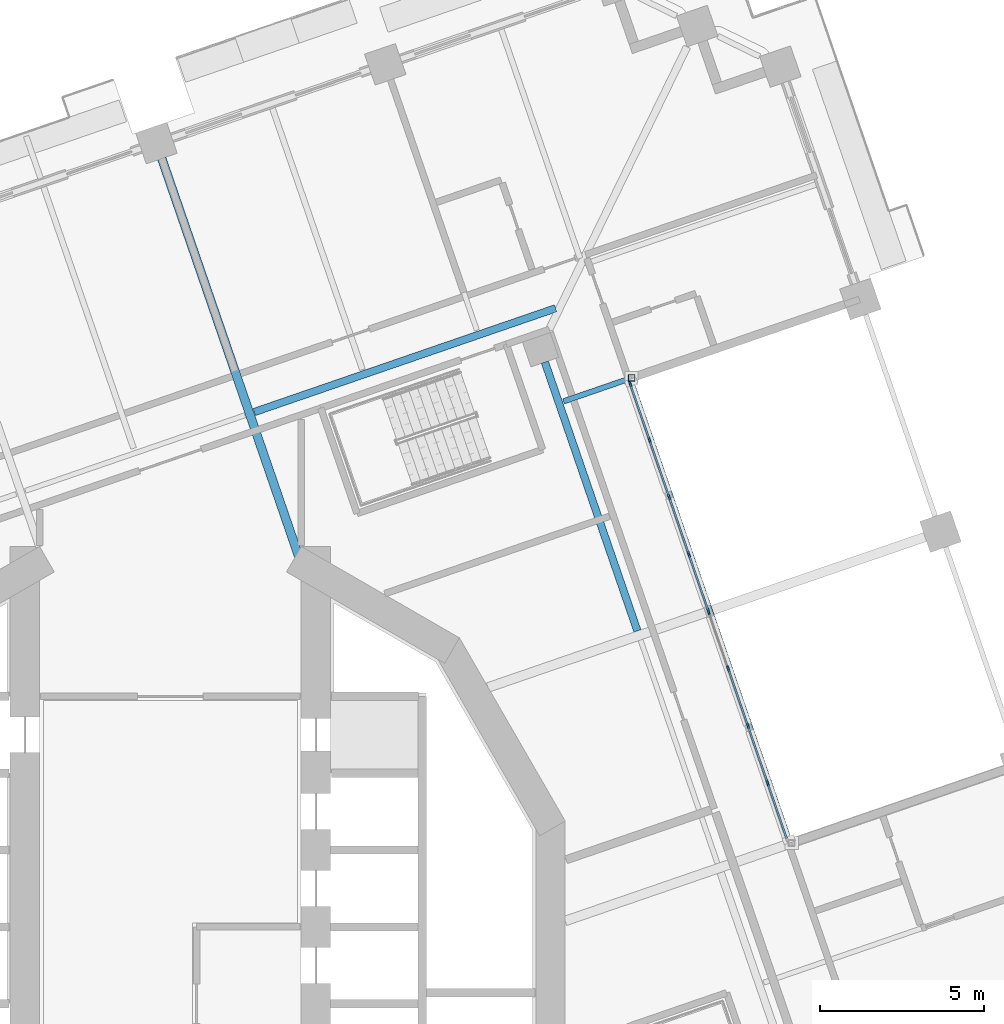
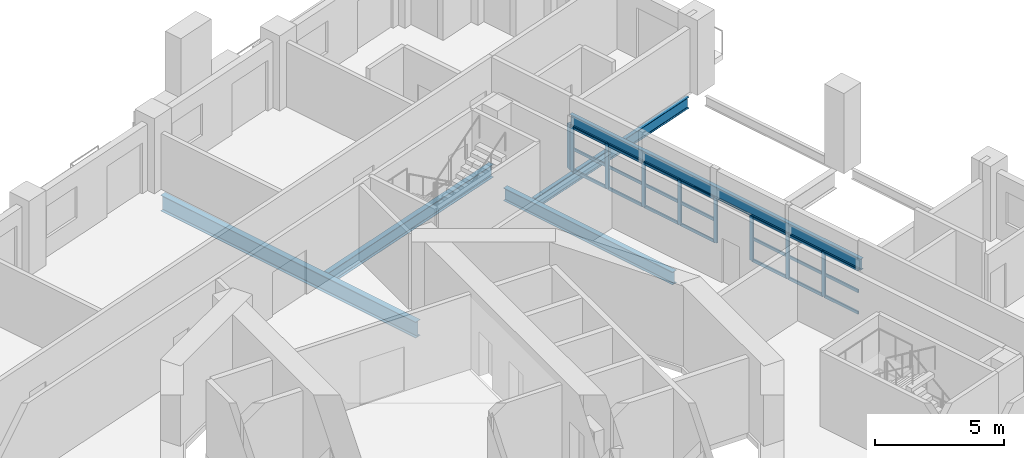
# One storey, part 4 of 19: 30 members, 5 beams, 1 element without a shape of its own.
"""IFC4 building model written with IfcOpenShell, lengths in metres."""

from ifc_helpers import new_model, si_unit, direction, frame, origin, origin_2d, place, context, subcontext, project, spatial, rectangle, hollow_rectangle, i_section, extrude, material, material_profile, profile_set, type_object, element, aggregate, save


model = new_model("IFC4")

# Units and contexts
model_context = context("Model", 3, precision=1e-05, world=origin(), true_north=direction((0.0, 1.0)))
body_context = subcontext(model_context, "Body", "Model", "MODEL_VIEW")
ifc_project = project(units=[si_unit("LENGTHUNIT", "METRE"), si_unit("AREAUNIT", "SQUARE_METRE"), si_unit("VOLUMEUNIT", "CUBIC_METRE"), si_unit("PLANEANGLEUNIT", "RADIAN"), si_unit("MASSUNIT", "GRAM", prefix="KILO")], contexts=[model_context])

# Site, building, storey
site_placement = place(None, origin())
site = spatial("IfcSite", under=ifc_project, at=site_placement, CompositionType="ELEMENT")
building_placement = place(site_placement, origin())
building = spatial("IfcBuilding", under=site, at=building_placement, Name="Cantera Rosa Tower", CompositionType="ELEMENT")
storey_placement = place(building_placement, frame((0.0, 0.0, 130.699951171875)))
storey = spatial("IfcBuildingStorey", under=building, at=storey_placement, Name="L27", CompositionType="ELEMENT", Elevation=130.699951171875)

# Curtain wall, members
ifc_material_1 = material(Name="Aluminium frame with clear glass", Category="aluminium")
curtain_wall_type = type_object("IfcCurtainWallType", Name="CW1 TERRACE POCKET GLAZING", PredefinedType="NOTDEFINED", material=ifc_material_1)
curtain_wall_placement = place(storey_placement, origin())
curtain_wall = element("IfcCurtainWall", 1, at=curtain_wall_placement, inside=storey, type_object=curtain_wall_type, Name="CW1 CW1", PredefinedType="NOTDEFINED")
ifc_material_2 = material(Name="Anodised bronze aluminium", Category="aluminium")
ifc_material_profile_1 = material_profile(ifc_material_2, rectangle(XDim=0.06005859375, YDim=0.179931640625, at=origin_2d()), Name="CW-MULLION 60x180 POCKET")
ifc_profile_set_1 = profile_set([ifc_material_profile_1], Name="Anodised bronze aluminium")
member_type_1 = type_object("IfcMemberType", Name="CW-MULLION 60x180 POCKET", PredefinedType="MULLION", material=ifc_profile_set_1)
member_1_placement = place(storey_placement, frame((18.2626953125, 4.399169921875, 0.0), z_axis=(0.0, 0.0, 1.0), x_axis=(-0.945518575605, -0.325568154441, 0.0)))
member_1 = element("IfcMember", 2, at=member_1_placement, type_object=member_type_1, Name="CW1 mullion 2", PredefinedType="MULLION", context=body_context, shape_type="SweptSolid", body=[
    extrude(rectangle(XDim=0.06005859375, YDim=0.179931640625, at=origin_2d()), origin(), (0.0, 0.0, 1.0), 2.10400390625),
])
member_2_placement = place(storey_placement, frame((17.660888671875, 6.147216796875, 0.0), z_axis=(0.0, 0.0, 1.0), x_axis=(-0.945518575605, -0.325568154441, 0.0)))
member_2 = element("IfcMember", 3, at=member_2_placement, type_object=member_type_1, Name="CW1 mullion 3", PredefinedType="MULLION", context=body_context, shape_type="SweptSolid", body=[
    extrude(rectangle(XDim=0.06005859375, YDim=0.179931640625, at=origin_2d()), origin(), (0.0, 0.0, 1.0), 2.10400390625),
])
member_3_placement = place(storey_placement, frame((17.058837890625, 7.895263671875, 0.0), z_axis=(0.0, 0.0, 1.0), x_axis=(-0.945518575605, -0.325568154441, 0.0)))
member_3 = element("IfcMember", 4, at=member_3_placement, type_object=member_type_1, Name="CW1 mullion 4", PredefinedType="MULLION", context=body_context, shape_type="SweptSolid", body=[
    extrude(rectangle(XDim=0.06005859375, YDim=0.179931640625, at=origin_2d()), origin(), (0.0, 0.0, 1.0), 2.10400390625),
])
member_4_placement = place(storey_placement, frame((16.45703125, 9.643310546875, 0.0), z_axis=(0.0, 0.0, 1.0), x_axis=(-0.945518575605, -0.325568154441, 0.0)))
member_4 = element("IfcMember", 5, at=member_4_placement, type_object=member_type_1, Name="CW1 mullion 5", PredefinedType="MULLION", context=body_context, shape_type="SweptSolid", body=[
    extrude(rectangle(XDim=0.06005859375, YDim=0.179931640625, at=origin_2d()), origin(), (0.0, 0.0, 1.0), 2.10400390625),
])
member_5_placement = place(storey_placement, frame((15.855224609375, 11.391357421875, 0.0), z_axis=(0.0, 0.0, 1.0), x_axis=(-0.945518575605, -0.325568154441, 0.0)))
member_5 = element("IfcMember", 6, at=member_5_placement, type_object=member_type_1, Name="CW1 mullion 6", PredefinedType="MULLION", context=body_context, shape_type="SweptSolid", body=[
    extrude(rectangle(XDim=0.06005859375, YDim=0.179931640625, at=origin_2d()), origin(), (0.0, 0.0, 1.0), 2.10400390625),
])
member_6_placement = place(storey_placement, frame((15.253173828125, 13.139404296875, 0.0), z_axis=(0.0, 0.0, 1.0), x_axis=(-0.945518575605, -0.325568154441, 0.0)))
member_6 = element("IfcMember", 7, at=member_6_placement, type_object=member_type_1, Name="CW1 mullion 7", PredefinedType="MULLION", context=body_context, shape_type="SweptSolid", body=[
    extrude(rectangle(XDim=0.06005859375, YDim=0.179931640625, at=origin_2d()), origin(), (0.0, 0.0, 1.0), 2.10400390625),
])
member_7_placement = place(storey_placement, frame((14.6513671875, 14.887451171875, 0.0), z_axis=(0.0, 0.0, 1.0), x_axis=(-0.945518575605, -0.325568154441, 0.0)))
member_7 = element("IfcMember", 8, at=member_7_placement, type_object=member_type_1, Name="CW1 mullion 8", PredefinedType="MULLION", context=body_context, shape_type="SweptSolid", body=[
    extrude(rectangle(XDim=0.06005859375, YDim=0.179931640625, at=origin_2d()), origin(), (0.0, 0.0, 1.0), 2.10400390625),
])
member_8_placement = place(storey_placement, frame((14.059326171875, 16.60693359375, 0.0), z_axis=(0.0, 0.0, 1.0), x_axis=(-0.945518575605, -0.325568154441, 0.0)))
member_8 = element("IfcMember", 9, at=member_8_placement, type_object=member_type_1, Name="CW1 mullion 9", PredefinedType="MULLION", context=body_context, shape_type="SweptSolid", body=[
    extrude(rectangle(XDim=0.06005859375, YDim=0.179931640625, at=origin_2d()), origin(), (0.0, 0.0, 1.0), 2.10400390625),
])
ifc_material_3 = material(Name="Anodised bronze aluminium", Category="aluminium")
ifc_material_profile_2 = material_profile(ifc_material_3, rectangle(XDim=0.06005859375, YDim=0.139892578125, at=origin_2d()), Name="CW-TRANSOM 60x140 POCKET")
ifc_profile_set_2 = profile_set([ifc_material_profile_2], Name="Anodised bronze aluminium")
member_type_2 = type_object("IfcMemberType", Name="CW-TRANSOM 60x140 POCKET", PredefinedType="USERDEFINED", material=ifc_profile_set_2)
member_9_placement = place(storey_placement, frame((18.84521484375, 2.7080078125, 0.030029296875), z_axis=(-0.325665527523, 0.945485041755, 0.0), x_axis=(-0.945485041755, -0.325665527523, 0.0)))
member_9 = element("IfcMember", 10, at=member_9_placement, type_object=member_type_2, Name="CW1 transom 1.1", ObjectType="TRANSOM", PredefinedType="USERDEFINED", context=body_context, shape_type="SweptSolid", body=[
    extrude(rectangle(XDim=0.06005859375, YDim=0.139892578125, at=origin_2d()), origin(), (0.0, 0.0, 1.0), 1.7587890625),
])
member_10_placement = place(storey_placement, frame((18.84521484375, 2.7080078125, 1.052001953125), z_axis=(-0.325665527523, 0.945485041755, 0.0), x_axis=(-0.945485041755, -0.325665527523, 0.0)))
member_10 = element("IfcMember", 11, at=member_10_placement, type_object=member_type_2, Name="CW1 transom 1.2", ObjectType="TRANSOM", PredefinedType="USERDEFINED", context=body_context, shape_type="SweptSolid", body=[
    extrude(rectangle(XDim=0.06005859375, YDim=0.139892578125, at=origin_2d()), origin(), (0.0, 0.0, 1.0), 1.7587890625),
])
member_11_placement = place(storey_placement, frame((18.84521484375, 2.7080078125, 2.073974609375), z_axis=(-0.325665527523, 0.945485041755, 0.0), x_axis=(-0.945485041755, -0.325665527523, 0.0)))
member_11 = element("IfcMember", 12, at=member_11_placement, type_object=member_type_2, Name="CW1 transom 1.3", ObjectType="TRANSOM", PredefinedType="USERDEFINED", context=body_context, shape_type="SweptSolid", body=[
    extrude(rectangle(XDim=0.06005859375, YDim=0.139892578125, at=origin_2d()), origin(), (0.0, 0.0, 1.0), 1.7587890625),
])
member_12_placement = place(storey_placement, frame((18.2529296875, 4.427490234375, 0.030029296875), z_axis=(-0.325506938428, 0.945539651752, 0.0), x_axis=(-0.945539651752, -0.325506938428, 0.0)))
member_12 = element("IfcMember", 13, at=member_12_placement, type_object=member_type_2, Name="CW1 transom 2.1", ObjectType="TRANSOM", PredefinedType="USERDEFINED", context=body_context, shape_type="SweptSolid", body=[
    extrude(rectangle(XDim=0.06005859375, YDim=0.139892578125, at=origin_2d()), origin(), (0.0, 0.0, 1.0), 1.788818359375),
])
member_13_placement = place(storey_placement, frame((18.2529296875, 4.427490234375, 1.052001953125), z_axis=(-0.325506938428, 0.945539651752, 0.0), x_axis=(-0.945539651752, -0.325506938428, 0.0)))
member_13 = element("IfcMember", 14, at=member_13_placement, type_object=member_type_2, Name="CW1 transom 2.2", ObjectType="TRANSOM", PredefinedType="USERDEFINED", context=body_context, shape_type="SweptSolid", body=[
    extrude(rectangle(XDim=0.06005859375, YDim=0.139892578125, at=origin_2d()), origin(), (0.0, 0.0, 1.0), 1.788818359375),
])
member_14_placement = place(storey_placement, frame((18.2529296875, 4.427490234375, 2.073974609375), z_axis=(-0.325506938428, 0.945539651752, 0.0), x_axis=(-0.945539651752, -0.325506938428, 0.0)))
member_14 = element("IfcMember", 15, at=member_14_placement, type_object=member_type_2, Name="CW1 transom 2.3", ObjectType="TRANSOM", PredefinedType="USERDEFINED", context=body_context, shape_type="SweptSolid", body=[
    extrude(rectangle(XDim=0.06005859375, YDim=0.139892578125, at=origin_2d()), origin(), (0.0, 0.0, 1.0), 1.788818359375),
])
member_15_placement = place(storey_placement, frame((17.651123046875, 6.175537109375, 0.030029296875), z_axis=(-0.325628950391, 0.945497639694, 0.0), x_axis=(-0.945497639694, -0.325628950391, 0.0)))
member_15 = element("IfcMember", 16, at=member_15_placement, type_object=member_type_2, Name="CW1 transom 3.1", ObjectType="TRANSOM", PredefinedType="USERDEFINED", context=body_context, shape_type="SweptSolid", body=[
    extrude(rectangle(XDim=0.06005859375, YDim=0.139892578125, at=origin_2d()), origin(), (0.0, 0.0, 1.0), 1.788818359375),
])
member_16_placement = place(storey_placement, frame((17.651123046875, 6.175537109375, 1.052001953125), z_axis=(-0.325628950391, 0.945497639694, 0.0), x_axis=(-0.945497639694, -0.325628950391, 0.0)))
member_16 = element("IfcMember", 17, at=member_16_placement, type_object=member_type_2, Name="CW1 transom 3.2", ObjectType="TRANSOM", PredefinedType="USERDEFINED", context=body_context, shape_type="SweptSolid", body=[
    extrude(rectangle(XDim=0.06005859375, YDim=0.139892578125, at=origin_2d()), origin(), (0.0, 0.0, 1.0), 1.788818359375),
])
member_17_placement = place(storey_placement, frame((17.651123046875, 6.175537109375, 2.073974609375), z_axis=(-0.325628950391, 0.945497639694, 0.0), x_axis=(-0.945497639694, -0.325628950391, 0.0)))
member_17 = element("IfcMember", 18, at=member_17_placement, type_object=member_type_2, Name="CW1 transom 3.3", ObjectType="TRANSOM", PredefinedType="USERDEFINED", context=body_context, shape_type="SweptSolid", body=[
    extrude(rectangle(XDim=0.06005859375, YDim=0.139892578125, at=origin_2d()), origin(), (0.0, 0.0, 1.0), 1.788818359375),
])
member_18_placement = place(storey_placement, frame((16.447265625, 9.671630859375, 0.030029296875), z_axis=(-0.325506938428, 0.945539651752, 0.0), x_axis=(-0.945539651752, -0.325506938428, 0.0)))
member_18 = element("IfcMember", 19, at=member_18_placement, type_object=member_type_2, Name="CW1 transom 5.1", ObjectType="TRANSOM", PredefinedType="USERDEFINED", context=body_context, shape_type="SweptSolid", body=[
    extrude(rectangle(XDim=0.06005859375, YDim=0.139892578125, at=origin_2d()), origin(), (0.0, 0.0, 1.0), 1.788818359375),
])
member_19_placement = place(storey_placement, frame((16.447265625, 9.671630859375, 1.052001953125), z_axis=(-0.325506938428, 0.945539651752, 0.0), x_axis=(-0.945539651752, -0.325506938428, 0.0)))
member_19 = element("IfcMember", 20, at=member_19_placement, type_object=member_type_2, Name="CW1 transom 5.2", ObjectType="TRANSOM", PredefinedType="USERDEFINED", context=body_context, shape_type="SweptSolid", body=[
    extrude(rectangle(XDim=0.06005859375, YDim=0.139892578125, at=origin_2d()), origin(), (0.0, 0.0, 1.0), 1.788818359375),
])
member_20_placement = place(storey_placement, frame((16.447265625, 9.671630859375, 2.073974609375), z_axis=(-0.325506938428, 0.945539651752, 0.0), x_axis=(-0.945539651752, -0.325506938428, 0.0)))
member_20 = element("IfcMember", 21, at=member_20_placement, type_object=member_type_2, Name="CW1 transom 5.3", ObjectType="TRANSOM", PredefinedType="USERDEFINED", context=body_context, shape_type="SweptSolid", body=[
    extrude(rectangle(XDim=0.06005859375, YDim=0.139892578125, at=origin_2d()), origin(), (0.0, 0.0, 1.0), 1.788818359375),
])
member_21_placement = place(storey_placement, frame((15.845458984375, 11.419677734375, 0.030029296875), z_axis=(-0.325628950391, 0.945497639694, 0.0), x_axis=(-0.945497639694, -0.325628950391, 0.0)))
member_21 = element("IfcMember", 22, at=member_21_placement, type_object=member_type_2, Name="CW1 transom 6.1", ObjectType="TRANSOM", PredefinedType="USERDEFINED", context=body_context, shape_type="SweptSolid", body=[
    extrude(rectangle(XDim=0.06005859375, YDim=0.139892578125, at=origin_2d()), origin(), (0.0, 0.0, 1.0), 1.788818359375),
])
member_22_placement = place(storey_placement, frame((15.845458984375, 11.419677734375, 1.052001953125), z_axis=(-0.325628950391, 0.945497639694, 0.0), x_axis=(-0.945497639694, -0.325628950391, 0.0)))
member_22 = element("IfcMember", 23, at=member_22_placement, type_object=member_type_2, Name="CW1 transom 6.2", ObjectType="TRANSOM", PredefinedType="USERDEFINED", context=body_context, shape_type="SweptSolid", body=[
    extrude(rectangle(XDim=0.06005859375, YDim=0.139892578125, at=origin_2d()), origin(), (0.0, 0.0, 1.0), 1.788818359375),
])
member_23_placement = place(storey_placement, frame((15.845458984375, 11.419677734375, 2.073974609375), z_axis=(-0.325628950391, 0.945497639694, 0.0), x_axis=(-0.945497639694, -0.325628950391, 0.0)))
member_23 = element("IfcMember", 24, at=member_23_placement, type_object=member_type_2, Name="CW1 transom 6.3", ObjectType="TRANSOM", PredefinedType="USERDEFINED", context=body_context, shape_type="SweptSolid", body=[
    extrude(rectangle(XDim=0.06005859375, YDim=0.139892578125, at=origin_2d()), origin(), (0.0, 0.0, 1.0), 1.788818359375),
])
member_24_placement = place(storey_placement, frame((15.243408203125, 13.167724609375, 0.030029296875), z_axis=(-0.32554894958, 0.945525188151, 0.0), x_axis=(-0.945525188151, -0.32554894958, 0.0)))
member_24 = element("IfcMember", 25, at=member_24_placement, type_object=member_type_2, Name="CW1 transom 7.1", ObjectType="TRANSOM", PredefinedType="USERDEFINED", context=body_context, shape_type="SweptSolid", body=[
    extrude(rectangle(XDim=0.06005859375, YDim=0.139892578125, at=origin_2d()), origin(), (0.0, 0.0, 1.0), 1.78857421875),
])
member_25_placement = place(storey_placement, frame((15.243408203125, 13.167724609375, 1.052001953125), z_axis=(-0.32554894958, 0.945525188151, 0.0), x_axis=(-0.945525188151, -0.32554894958, 0.0)))
member_25 = element("IfcMember", 26, at=member_25_placement, type_object=member_type_2, Name="CW1 transom 7.2", ObjectType="TRANSOM", PredefinedType="USERDEFINED", context=body_context, shape_type="SweptSolid", body=[
    extrude(rectangle(XDim=0.06005859375, YDim=0.139892578125, at=origin_2d()), origin(), (0.0, 0.0, 1.0), 1.78857421875),
])
member_26_placement = place(storey_placement, frame((15.243408203125, 13.167724609375, 2.073974609375), z_axis=(-0.32554894958, 0.945525188151, 0.0), x_axis=(-0.945525188151, -0.32554894958, 0.0)))
member_26 = element("IfcMember", 27, at=member_26_placement, type_object=member_type_2, Name="CW1 transom 7.3", ObjectType="TRANSOM", PredefinedType="USERDEFINED", context=body_context, shape_type="SweptSolid", body=[
    extrude(rectangle(XDim=0.06005859375, YDim=0.139892578125, at=origin_2d()), origin(), (0.0, 0.0, 1.0), 1.78857421875),
])
member_27_placement = place(storey_placement, frame((14.6416015625, 14.915771484375, 0.030029296875), z_axis=(-0.325541424444, 0.945527779058, 0.0), x_axis=(-0.945527779058, -0.325541424444, 0.0)))
member_27 = element("IfcMember", 28, at=member_27_placement, type_object=member_type_2, Name="CW1 transom 8.1", ObjectType="TRANSOM", PredefinedType="USERDEFINED", context=body_context, shape_type="SweptSolid", body=[
    extrude(rectangle(XDim=0.06005859375, YDim=0.139892578125, at=origin_2d()), origin(), (0.0, 0.0, 1.0), 1.758544921875),
])
member_28_placement = place(storey_placement, frame((14.6416015625, 14.915771484375, 1.052001953125), z_axis=(-0.325541424444, 0.945527779058, 0.0), x_axis=(-0.945527779058, -0.325541424444, 0.0)))
member_28 = element("IfcMember", 29, at=member_28_placement, type_object=member_type_2, Name="CW1 transom 8.2", ObjectType="TRANSOM", PredefinedType="USERDEFINED", context=body_context, shape_type="SweptSolid", body=[
    extrude(rectangle(XDim=0.06005859375, YDim=0.139892578125, at=origin_2d()), origin(), (0.0, 0.0, 1.0), 1.758544921875),
])
member_29_placement = place(storey_placement, frame((14.6416015625, 14.915771484375, 2.073974609375), z_axis=(-0.325541424444, 0.945527779058, 0.0), x_axis=(-0.945527779058, -0.325541424444, 0.0)))
member_29 = element("IfcMember", 30, at=member_29_placement, type_object=member_type_2, Name="CW1 transom 8.3", ObjectType="TRANSOM", PredefinedType="USERDEFINED", context=body_context, shape_type="SweptSolid", body=[
    extrude(rectangle(XDim=0.06005859375, YDim=0.139892578125, at=origin_2d()), origin(), (0.0, 0.0, 1.0), 1.758544921875),
])
aggregate(curtain_wall, [member_1, member_2, member_3, member_4, member_5, member_6, member_7, member_8, member_9, member_10, member_11, member_12, member_13, member_14, member_15, member_16, member_17, member_18, member_19, member_20, member_21, member_22, member_23, member_24, member_25, member_26, member_27, member_28, member_29])

# Member
ifc_material_4 = material(Name="Steel ASTM A992 (Fy 345 MPa)", Category="steel")
ifc_material_profile_3 = material_profile(ifc_material_4, hollow_rectangle(XDim=0.199951171875, YDim=0.199951171875, WallThickness=0.010009765625, at=origin_2d()), Name="LINTEL POST RHS 200x200x10")
ifc_profile_set_3 = profile_set([ifc_material_profile_3], Name="Steel ASTM A992 (Fy 345 MPa)")
member_type_3 = type_object("IfcMemberType", Name="LINTEL POST RHS 200x200x10", PredefinedType="USERDEFINED", material=ifc_profile_set_3)
member_30_placement = place(storey_placement, frame((14.103271484375, 16.7861328125, 0.0), z_axis=(0.0, 0.0, 1.0), x_axis=(1.0, 0.0, 0.0)))
element("IfcMember", 31, at=member_30_placement, inside=storey, type_object=member_type_3, Name="LINTEL POST L27-2", ObjectType="LINTEL POST", PredefinedType="USERDEFINED", context=body_context, shape_type="SweptSolid", body=[
    extrude(hollow_rectangle(XDim=0.199951171875, YDim=0.199951171875, WallThickness=0.010009765625, at=origin_2d()), origin(), (0.0, 0.0, 1.0), 2.10595703125),
])

# Beams
ifc_material_5 = material(Name="Steel ASTM A992 (Fy 345 MPa)", Category="steel")
ifc_material_profile_4 = material_profile(ifc_material_5, i_section(OverallWidth=0.166015625, OverallDepth=0.528076171875, WebThickness=0.009765625, FlangeThickness=0.013671875, FilletRadius=0.0126953125, at=origin_2d()), Name="W530X74")
ifc_profile_set_4 = profile_set([ifc_material_profile_4], Name="Steel ASTM A992 (Fy 345 MPa)")
beam_type_1 = type_object("IfcBeamType", Name="STEEL BEAM W530X74", PredefinedType="BEAM", material=ifc_profile_set_4)
beam_1_placement = place(storey_placement, frame((20.62744140625, 19.032470703125, -0.513916015625), z_axis=(-0.94551971591, -0.325564842737, 0.0), x_axis=(0.325564842737, -0.94551971591, 0.0)))
element("IfcBeam", 32, at=beam_1_placement, inside=storey, type_object=beam_type_1, Name="G-Z2-04 L27", PredefinedType="BEAM", context=body_context, shape_type="SweptSolid", body=[
    extrude(i_section(OverallWidth=0.166015625, OverallDepth=0.528076171875, WebThickness=0.009765625, FlangeThickness=0.013671875, FilletRadius=0.0126953125, at=origin_2d()), origin(), (0.0, 0.0, 1.0), 9.10009765625),
])
beam_2_placement = place(storey_placement, frame((18.936279296875, 2.596435546875, 2.3701171875), z_axis=(-0.325566108702, 0.945519280007, 0.0), x_axis=(-0.945519280007, -0.325566108702, 0.0)))
element("IfcBeam", 33, at=beam_2_placement, inside=storey, type_object=beam_type_1, Name="LINTEL SL-L27", PredefinedType="BEAM", context=body_context, shape_type="SweptSolid", body=[
    extrude(i_section(OverallWidth=0.166015625, OverallDepth=0.528076171875, WebThickness=0.009765625, FlangeThickness=0.013671875, FilletRadius=0.0126953125, at=origin_2d()), origin(), (0.0, 0.0, 1.0), 14.940185546875),
])
ifc_material_6 = material(Name="Steel ASTM A992 (Fy 345 MPa)", Category="steel")
ifc_material_profile_5 = material_profile(ifc_material_6, i_section(OverallWidth=0.22802734375, OverallDepth=0.60205078125, WebThickness=0.010498046875, FlangeThickness=0.014892578125, FilletRadius=0.0126953125, at=origin_2d()), Name="W610X101")
ifc_profile_set_5 = profile_set([ifc_material_profile_5], Name="Steel ASTM A992 (Fy 345 MPa)")
beam_type_2 = type_object("IfcBeamType", Name="STEEL BEAM W610X101", PredefinedType="BEAM", material=ifc_profile_set_5)
beam_3_placement = place(storey_placement, frame((14.28076171875, 9.052490234375, -0.551025390625), z_axis=(-0.325559468466, 0.945521566381, 0.0), x_axis=(-0.945521566381, -0.325559468466, 0.0)))
element("IfcBeam", 34, at=beam_3_placement, inside=storey, type_object=beam_type_2, Name="RB-Z2-11 L27", PredefinedType="BEAM", context=body_context, shape_type="SweptSolid", body=[
    extrude(i_section(OverallWidth=0.22802734375, OverallDepth=0.60205078125, WebThickness=0.010498046875, FlangeThickness=0.014892578125, FilletRadius=0.0126953125, at=origin_2d()), origin(), (0.0, 0.0, 1.0), 8.68994140625),
])
ifc_material_7 = material(Name="Steel ASTM A992 (Fy 345 MPa)", Category="steel")
ifc_material_profile_6 = material_profile(ifc_material_7, i_section(OverallWidth=0.22900390625, OverallDepth=0.612060546875, WebThickness=0.011962890625, FlangeThickness=0.01953125, FilletRadius=0.0126953125, at=origin_2d()), Name="W610X125")
ifc_profile_set_6 = profile_set([ifc_material_profile_6], Name="Steel ASTM A992 (Fy 345 MPa)")
beam_type_3 = type_object("IfcBeamType", Name="STEEL BEAM W610X125", PredefinedType="BEAM", material=ifc_profile_set_6)
beam_4_placement = place(storey_placement, frame((2.564453125, 15.74267578125, -0.555908203125), z_axis=(0.945524824291, 0.325550006372, 0.0), x_axis=(-0.325550006372, 0.945524824291, 0.0)))
element("IfcBeam", 35, at=beam_4_placement, inside=storey, type_object=beam_type_3, Name="RB-Z2-04 L27", PredefinedType="BEAM", context=body_context, shape_type="SweptSolid", body=[
    extrude(i_section(OverallWidth=0.22900390625, OverallDepth=0.612060546875, WebThickness=0.011962890625, FlangeThickness=0.01953125, FilletRadius=0.0126953125, at=origin_2d()), origin(), (0.0, 0.0, 1.0), 9.749755859375),
])
ifc_material_8 = material(Name="Steel ASTM A992 (Fy 345 MPa)", Category="steel")
ifc_material_profile_7 = material_profile(ifc_material_8, i_section(OverallWidth=0.26708984375, OverallDepth=0.75390625, WebThickness=0.01318359375, FlangeThickness=0.01708984375, FilletRadius=0.0166015625, at=origin_2d()), Name="W760X147")
ifc_profile_set_7 = profile_set([ifc_material_profile_7], Name="Steel ASTM A992 (Fy 345 MPa)")
beam_type_4 = type_object("IfcBeamType", Name="STEEL BEAM W760X147", PredefinedType="BEAM", material=ifc_profile_set_7)
beam_5_placement = place(storey_placement, frame((-0.263427734375, 23.494384765625, -0.626953125), z_axis=(0.325569500581, -0.945518112091, 0.0), x_axis=(0.945518112091, 0.325569500581, 0.0)))
element("IfcBeam", 36, at=beam_5_placement, inside=storey, type_object=beam_type_4, Name="G-Z2-06 L27", PredefinedType="BEAM", context=body_context, shape_type="SweptSolid", body=[
    extrude(i_section(OverallWidth=0.26708984375, OverallDepth=0.75390625, WebThickness=0.01318359375, FlangeThickness=0.01708984375, FilletRadius=0.0166015625, at=origin_2d()), origin(), (0.0, 0.0, 1.0), 13.09521484375),
])

save(model, "model.ifc")
